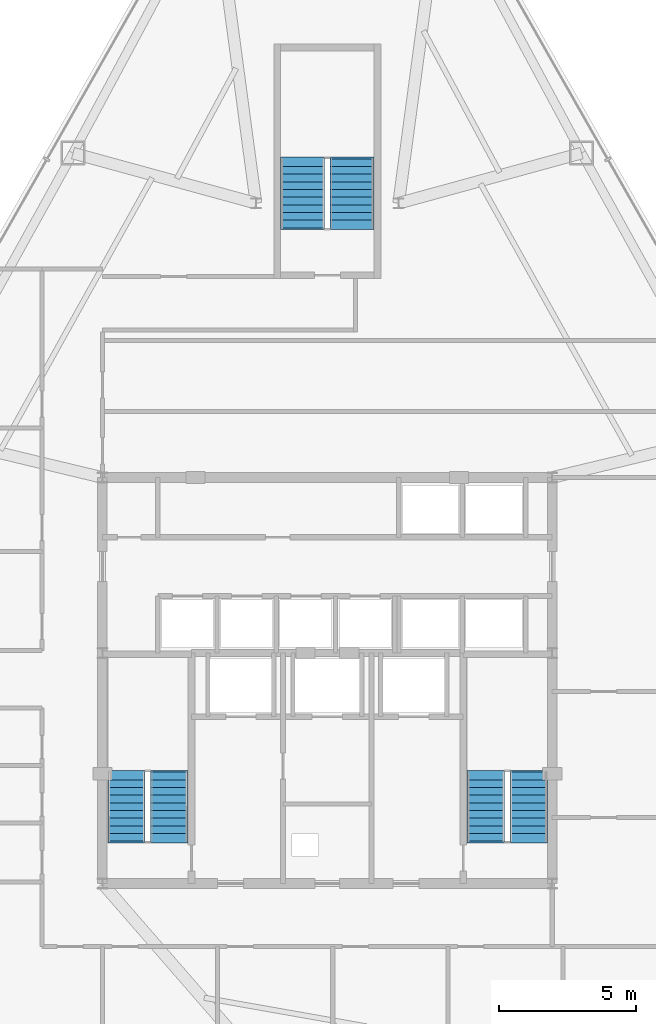
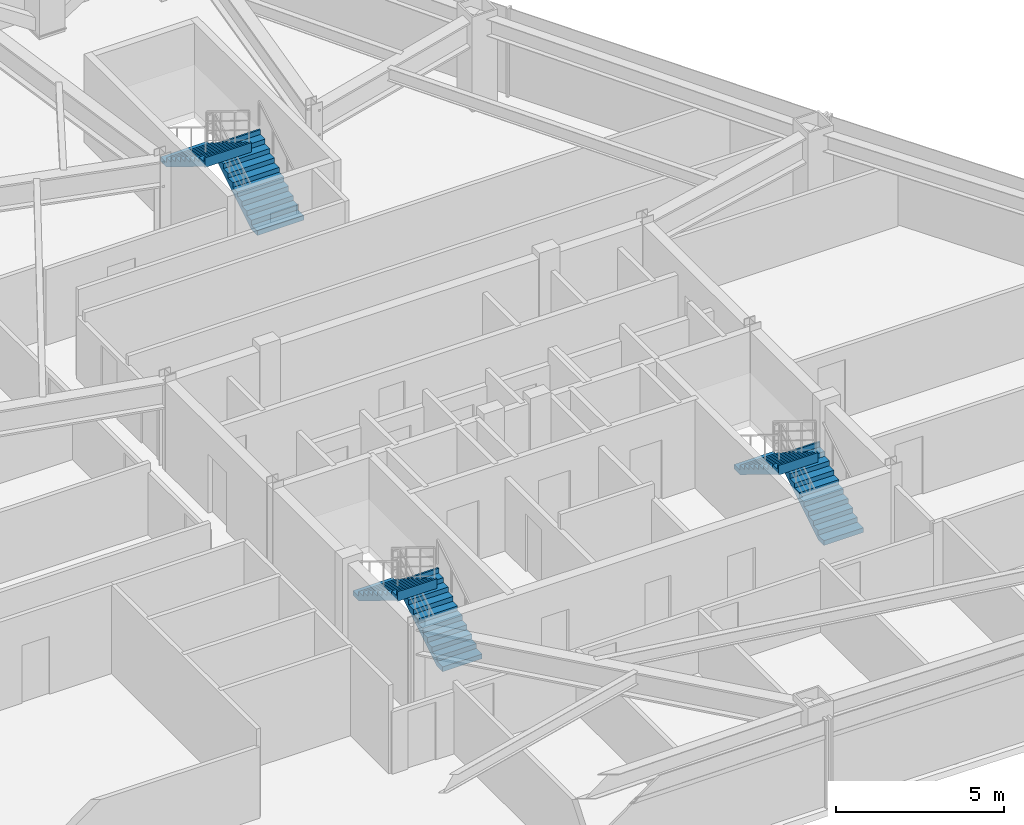
# One storey, part 11 of 12: 6 stair flights, 3 elements without a shape of their own.
"""IFC4 building model written with IfcOpenShell, lengths in metres."""

from ifc_helpers import new_model, si_unit, direction, frame, origin, place, context, subcontext, project, spatial, polyline, outline, extrude, material, type_object, element, aggregate, save


model = new_model("IFC4")

# Units and contexts
model_context = context("Model", 3, precision=1e-05, world=origin(), true_north=direction((0.0, 1.0)))
body_context = subcontext(model_context, "Body", "Model", "MODEL_VIEW")
ifc_project = project(units=[si_unit("LENGTHUNIT", "METRE"), si_unit("AREAUNIT", "SQUARE_METRE"), si_unit("VOLUMEUNIT", "CUBIC_METRE"), si_unit("PLANEANGLEUNIT", "RADIAN"), si_unit("MASSUNIT", "GRAM", prefix="KILO")], contexts=[model_context])

# Site, building, storey
site_placement = place(None, origin())
site = spatial("IfcSite", under=ifc_project, at=site_placement, CompositionType="ELEMENT")
building_placement = place(site_placement, origin())
building = spatial("IfcBuilding", under=site, at=building_placement, Name="Varakhsha Concourse Tower", CompositionType="ELEMENT")
storey_placement = place(building_placement, frame((0.0, 0.0, 129.800048828125)))
storey = spatial("IfcBuildingStorey", under=building, at=storey_placement, Name="L37", CompositionType="ELEMENT", Elevation=129.800048828125)

# Stair, stair flights
ifc_material = material(Name="Concrete fc 45 MPa", Category="concrete")
stair_type_1 = type_object("IfcStairType", Name="ST-DOGLEG-1360", PredefinedType="HALF_TURN_STAIR", material=ifc_material)
stair_1_placement = place(storey_placement, origin())
stair_1 = element("IfcStair", 1, at=stair_1_placement, inside=storey, type_object=stair_type_1, Name="L37 Protected Exit Stair ST1", PredefinedType="HALF_TURN_STAIR")
stair_flight_type_1 = type_object("IfcStairFlightType", Name="STF-1360-R1725", PredefinedType="STRAIGHT", material=ifc_material)
stair_flight_1_placement = place(storey_placement, frame((34.239990234375, 17.93994140625, 0.0), z_axis=(0.0, 0.0, 1.0), x_axis=(0.0, 1.0, 0.0)))
stair_flight_1 = element("IfcStairFlight", 2, at=stair_flight_1_placement, type_object=stair_flight_type_1, Name="ST1 flight 1", NumberOfRisers=10, NumberOfTreads=9, PredefinedType="STRAIGHT", RiserHeight=0.1725, TreadLength=0.28, context=body_context, shape_type="SweptSolid", body=[
    extrude(outline(polyline([(-0.06005859375, 0.0), (-0.06005859375, 0.172607421875), (0.0, 0.172607421875), (0.280029296875, 0.172607421875), (0.280029296875, 0.344970703125), (0.56005859375, 0.344970703125), (0.56005859375, 0.517578125), (0.840087890625, 0.517578125), (0.840087890625, 0.68994140625), (1.1201171875, 0.68994140625), (1.1201171875, 0.862548828125), (1.39990234375, 0.862548828125), (1.39990234375, 1.034912109375), (1.679931640625, 1.034912109375), (1.679931640625, 1.20751953125), (1.9599609375, 1.20751953125), (1.9599609375, 1.3798828125), (2.239990234375, 1.3798828125), (2.239990234375, 1.552490234375), (2.52001953125, 1.552490234375), (2.52001953125, 1.72509765625), (2.580078125, 1.72509765625), (2.580078125, 1.37646484375), (2.52001953125, 1.37646484375), (0.285888671875, 0.0), (-0.06005859375, 0.0)])), frame((0.0, 0.68017578125, 0.0), z_axis=(0.0, -1.0, 0.0), x_axis=(1.0, 0.0, 0.0)), (0.0, 0.0, 1.0), 1.360107421875),
])
stair_flight_2_placement = place(storey_placement, frame((32.679931640625, 20.4599609375, 1.724853515625), z_axis=(0.0, 0.0, 1.0), x_axis=(0.0, -1.0, 0.0)))
stair_flight_2 = element("IfcStairFlight", 3, at=stair_flight_2_placement, type_object=stair_flight_type_1, Name="ST1 flight 2", NumberOfRisers=10, NumberOfTreads=9, PredefinedType="STRAIGHT", RiserHeight=0.1725, TreadLength=0.28, context=body_context, shape_type="SweptSolid", body=[
    extrude(outline(polyline([(-0.06005859375, 0.0), (-0.06005859375, 0.172607421875), (0.0, 0.172607421875), (0.280029296875, 0.172607421875), (0.280029296875, 0.344970703125), (0.56005859375, 0.344970703125), (0.56005859375, 0.517578125), (0.840087890625, 0.517578125), (0.840087890625, 0.68994140625), (1.1201171875, 0.68994140625), (1.1201171875, 0.862548828125), (1.39990234375, 0.862548828125), (1.39990234375, 1.034912109375), (1.679931640625, 1.034912109375), (1.679931640625, 1.20751953125), (1.9599609375, 1.20751953125), (1.9599609375, 1.3798828125), (2.239990234375, 1.3798828125), (2.239990234375, 1.552490234375), (2.52001953125, 1.552490234375), (2.52001953125, 1.72509765625), (2.580078125, 1.72509765625), (2.580078125, 1.37646484375), (2.52001953125, 1.37646484375), (0.285888671875, 0.0), (-0.06005859375, 0.0)])), frame((0.0, 0.68017578125, 0.0), z_axis=(0.0, -1.0, 0.0), x_axis=(1.0, 0.0, 0.0)), (0.0, 0.0, 1.0), 1.360107421875),
])
aggregate(stair_1, [stair_flight_1, stair_flight_2])

stair_2_placement = place(storey_placement, origin())
stair_2 = element("IfcStair", 4, at=stair_2_placement, inside=storey, type_object=stair_type_1, Name="L37 Protected Exit Stair ST2", PredefinedType="HALF_TURN_STAIR")
stair_flight_3_placement = place(storey_placement, frame((47.340087890625, 17.93994140625, 0.0), z_axis=(0.0, 0.0, 1.0), x_axis=(0.0, 1.0, 0.0)))
stair_flight_3 = element("IfcStairFlight", 5, at=stair_flight_3_placement, type_object=stair_flight_type_1, Name="ST2 flight 1", NumberOfRisers=10, NumberOfTreads=9, PredefinedType="STRAIGHT", RiserHeight=0.1725, TreadLength=0.28, context=body_context, shape_type="SweptSolid", body=[
    extrude(outline(polyline([(-0.06005859375, 0.0), (-0.06005859375, 0.172607421875), (0.0, 0.172607421875), (0.280029296875, 0.172607421875), (0.280029296875, 0.344970703125), (0.56005859375, 0.344970703125), (0.56005859375, 0.517578125), (0.840087890625, 0.517578125), (0.840087890625, 0.68994140625), (1.1201171875, 0.68994140625), (1.1201171875, 0.862548828125), (1.39990234375, 0.862548828125), (1.39990234375, 1.034912109375), (1.679931640625, 1.034912109375), (1.679931640625, 1.20751953125), (1.9599609375, 1.20751953125), (1.9599609375, 1.3798828125), (2.239990234375, 1.3798828125), (2.239990234375, 1.552490234375), (2.52001953125, 1.552490234375), (2.52001953125, 1.72509765625), (2.580078125, 1.72509765625), (2.580078125, 1.37646484375), (2.52001953125, 1.37646484375), (0.285888671875, 0.0), (-0.06005859375, 0.0)])), frame((0.0, 0.68017578125, 0.0), z_axis=(0.0, -1.0, 0.0), x_axis=(1.0, 0.0, 0.0)), (0.0, 0.0, 1.0), 1.360107421875),
])
stair_flight_4_placement = place(storey_placement, frame((45.780029296875, 20.4599609375, 1.724853515625), z_axis=(0.0, 0.0, 1.0), x_axis=(0.0, -1.0, 0.0)))
stair_flight_4 = element("IfcStairFlight", 6, at=stair_flight_4_placement, type_object=stair_flight_type_1, Name="ST2 flight 2", NumberOfRisers=10, NumberOfTreads=9, PredefinedType="STRAIGHT", RiserHeight=0.1725, TreadLength=0.28, context=body_context, shape_type="SweptSolid", body=[
    extrude(outline(polyline([(-0.06005859375, 0.0), (-0.06005859375, 0.172607421875), (0.0, 0.172607421875), (0.280029296875, 0.172607421875), (0.280029296875, 0.344970703125), (0.56005859375, 0.344970703125), (0.56005859375, 0.517578125), (0.840087890625, 0.517578125), (0.840087890625, 0.68994140625), (1.1201171875, 0.68994140625), (1.1201171875, 0.862548828125), (1.39990234375, 0.862548828125), (1.39990234375, 1.034912109375), (1.679931640625, 1.034912109375), (1.679931640625, 1.20751953125), (1.9599609375, 1.20751953125), (1.9599609375, 1.3798828125), (2.239990234375, 1.3798828125), (2.239990234375, 1.552490234375), (2.52001953125, 1.552490234375), (2.52001953125, 1.72509765625), (2.580078125, 1.72509765625), (2.580078125, 1.37646484375), (2.52001953125, 1.37646484375), (0.285888671875, 0.0), (-0.06005859375, 0.0)])), frame((0.0, 0.68017578125, 0.0), z_axis=(0.0, -1.0, 0.0), x_axis=(1.0, 0.0, 0.0)), (0.0, 0.0, 1.0), 1.360107421875),
])
aggregate(stair_2, [stair_flight_3, stair_flight_4])

stair_type_2 = type_object("IfcStairType", Name="ST-DOGLEG-1600", PredefinedType="HALF_TURN_STAIR", material=ifc_material)
stair_3_placement = place(storey_placement, origin())
stair_3 = element("IfcStair", 7, at=stair_3_placement, inside=storey, type_object=stair_type_2, Name="L37 Protected Exit Stair ST5", PredefinedType="HALF_TURN_STAIR")
stair_flight_type_2 = type_object("IfcStairFlightType", Name="STF-1600-R1725", PredefinedType="STRAIGHT", material=ifc_material)
stair_flight_5_placement = place(storey_placement, frame((40.89990234375, 40.300048828125, 0.0), z_axis=(0.0, 0.0, 1.0), x_axis=(0.0, 1.0, 0.0)))
stair_flight_5 = element("IfcStairFlight", 8, at=stair_flight_5_placement, type_object=stair_flight_type_2, Name="ST5 flight 1", NumberOfRisers=10, NumberOfTreads=9, PredefinedType="STRAIGHT", RiserHeight=0.1725, TreadLength=0.28, context=body_context, shape_type="SweptSolid", body=[
    extrude(outline(polyline([(-0.06005859375, 0.0), (-0.06005859375, 0.172607421875), (0.0, 0.172607421875), (0.280029296875, 0.172607421875), (0.280029296875, 0.344970703125), (0.56005859375, 0.344970703125), (0.56005859375, 0.517578125), (0.840087890625, 0.517578125), (0.840087890625, 0.68994140625), (1.1201171875, 0.68994140625), (1.1201171875, 0.862548828125), (1.39990234375, 0.862548828125), (1.39990234375, 1.034912109375), (1.679931640625, 1.034912109375), (1.679931640625, 1.20751953125), (1.9599609375, 1.20751953125), (1.9599609375, 1.3798828125), (2.239990234375, 1.3798828125), (2.239990234375, 1.552490234375), (2.52001953125, 1.552490234375), (2.52001953125, 1.72509765625), (2.580078125, 1.72509765625), (2.580078125, 1.37646484375), (2.52001953125, 1.37646484375), (0.285888671875, 0.0), (-0.06005859375, 0.0)])), frame((0.0, 0.800048828125, 0.0), z_axis=(0.0, -1.0, 0.0), x_axis=(1.0, 0.0, 0.0)), (0.0, 0.0, 1.0), 1.60009765625),
])
stair_flight_6_placement = place(storey_placement, frame((39.10009765625, 42.820068359375, 1.724853515625), z_axis=(0.0, 0.0, 1.0), x_axis=(0.0, -1.0, 0.0)))
stair_flight_6 = element("IfcStairFlight", 9, at=stair_flight_6_placement, type_object=stair_flight_type_2, Name="ST5 flight 2", NumberOfRisers=10, NumberOfTreads=9, PredefinedType="STRAIGHT", RiserHeight=0.1725, TreadLength=0.28, context=body_context, shape_type="SweptSolid", body=[
    extrude(outline(polyline([(-0.06005859375, 0.0), (-0.06005859375, 0.172607421875), (0.0, 0.172607421875), (0.280029296875, 0.172607421875), (0.280029296875, 0.344970703125), (0.56005859375, 0.344970703125), (0.56005859375, 0.517578125), (0.840087890625, 0.517578125), (0.840087890625, 0.68994140625), (1.1201171875, 0.68994140625), (1.1201171875, 0.862548828125), (1.39990234375, 0.862548828125), (1.39990234375, 1.034912109375), (1.679931640625, 1.034912109375), (1.679931640625, 1.20751953125), (1.9599609375, 1.20751953125), (1.9599609375, 1.3798828125), (2.239990234375, 1.3798828125), (2.239990234375, 1.552490234375), (2.52001953125, 1.552490234375), (2.52001953125, 1.72509765625), (2.580078125, 1.72509765625), (2.580078125, 1.37646484375), (2.52001953125, 1.37646484375), (0.285888671875, 0.0), (-0.06005859375, 0.0)])), frame((0.0, 0.800048828125, 0.0), z_axis=(0.0, -1.0, 0.0), x_axis=(1.0, 0.0, 0.0)), (0.0, 0.0, 1.0), 1.60009765625),
])
aggregate(stair_3, [stair_flight_5, stair_flight_6])

save(model, "model.ifc")
